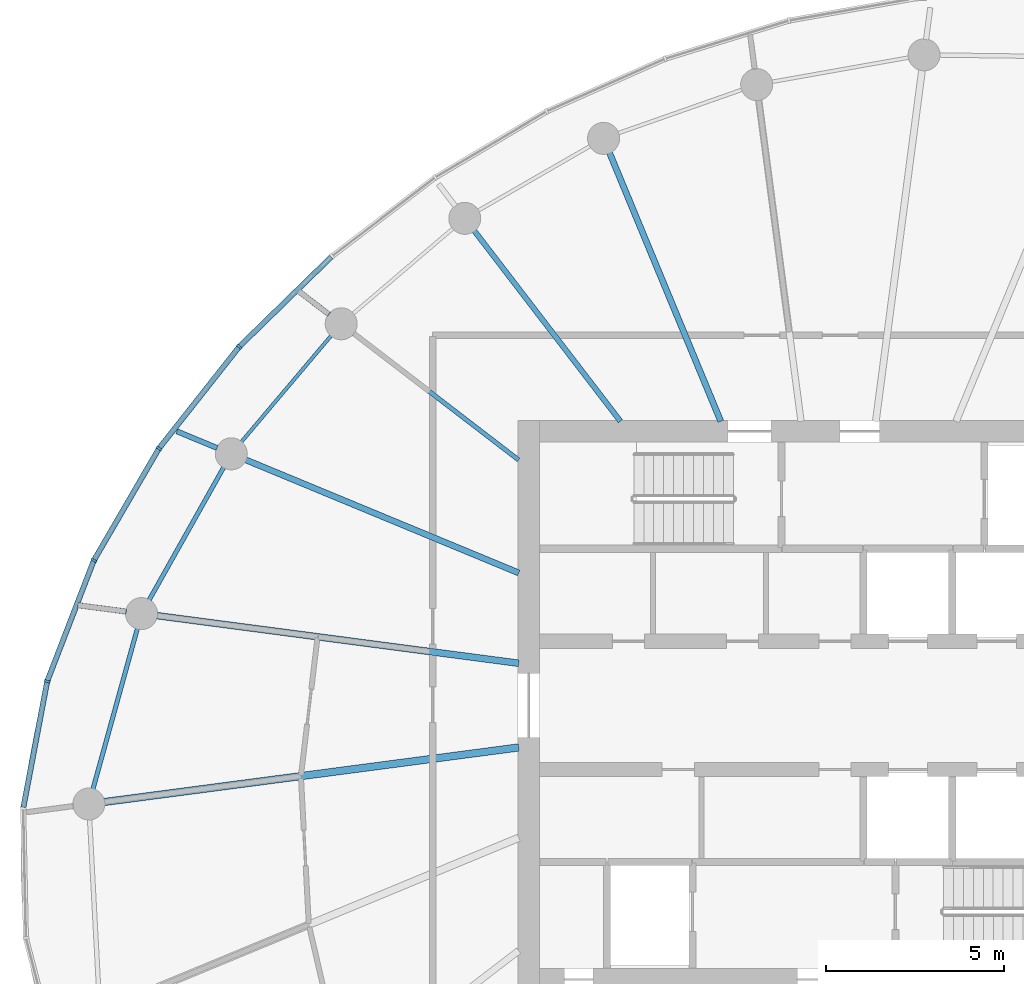
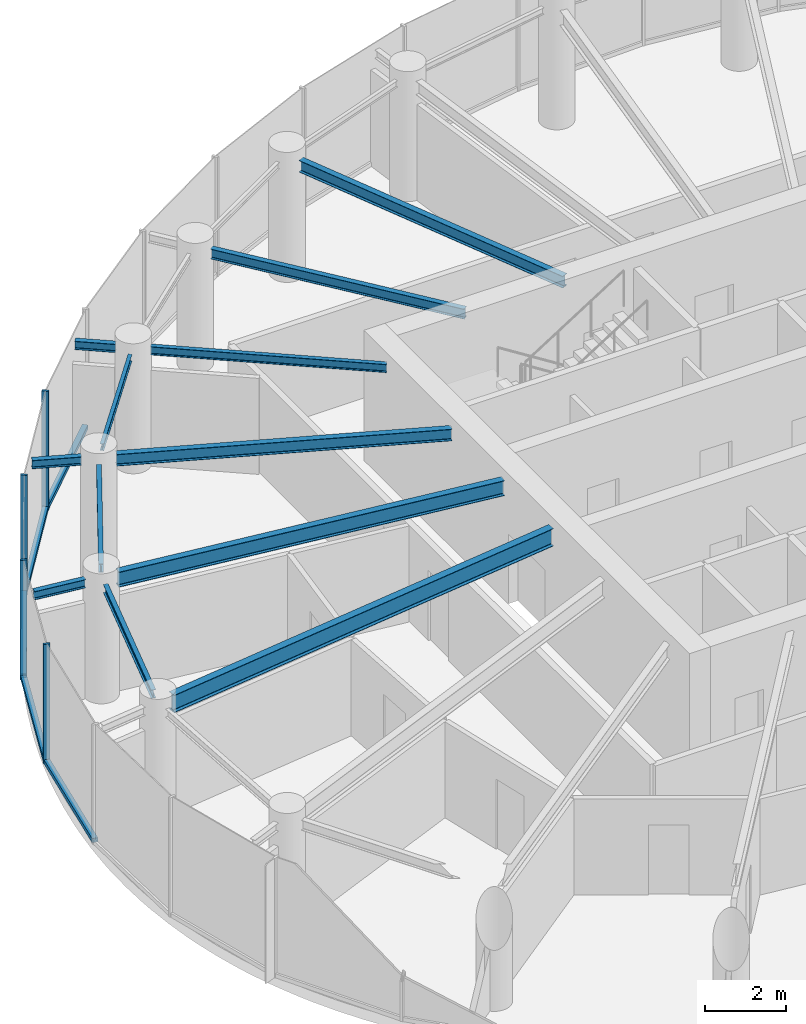
# One storey, part 4 of 13: 12 beams, 9 members, 2 elements without a shape of their own.
"""IFC4 building model written with IfcOpenShell, lengths in metres."""

from ifc_helpers import new_model, si_unit, direction, frame, origin, origin_2d, place, context, subcontext, project, spatial, rectangle, i_section, extrude, source, transform, mapped, material, layer, layer_set, material_profile, profile_set, type_object, element, aggregate, save


model = new_model("IFC4")

# Units and contexts
model_context = context("Model", 3, precision=1e-05, world=origin(), true_north=direction((0.0, 1.0)))
body_context = subcontext(model_context, "Body", "Model", "MODEL_VIEW")
ifc_project = project(units=[si_unit("LENGTHUNIT", "METRE"), si_unit("AREAUNIT", "SQUARE_METRE"), si_unit("VOLUMEUNIT", "CUBIC_METRE"), si_unit("PLANEANGLEUNIT", "RADIAN"), si_unit("MASSUNIT", "GRAM", prefix="KILO")], contexts=[model_context])

# Site, building, storey
site_placement = place(None, origin())
site = spatial("IfcSite", under=ifc_project, at=site_placement, CompositionType="ELEMENT")
building_placement = place(site_placement, origin())
building = spatial("IfcBuilding", under=site, at=building_placement, Name="Spindrift Exchange Tower", CompositionType="ELEMENT")
storey_placement = place(building_placement, frame((0.0, 0.0, 218.89990234375)))
storey = spatial("IfcBuildingStorey", under=building, at=storey_placement, Name="L53", CompositionType="ELEMENT", Elevation=218.89990234375)

# Beams
ifc_material_1 = material(Name="Steel Grade 300", Category="steel")
ifc_material_profile_1 = material_profile(ifc_material_1, i_section(OverallWidth=0.208984375, OverallDepth=0.528076171875, WebThickness=0.009521484375, FlangeThickness=0.01318359375, FilletRadius=0.013916015625, at=origin_2d()), Name="530UB82.0")
ifc_profile_set_1 = profile_set([ifc_material_profile_1], Name="Steel Grade 300")
beam_type_1 = type_object("IfcBeamType", Name="Floor Beam 530UB82.0 Steel Grade 300", PredefinedType="BEAM", material=ifc_profile_set_1)
shared_shape_1 = source(origin(), body_context, "Body", "SweptSolid", [
    extrude(i_section(OverallWidth=0.208984375, OverallDepth=0.528076171875, WebThickness=0.009521484375, FlangeThickness=0.01318359375, FilletRadius=0.013916015625, at=origin_2d()), origin(), (0.0, 0.0, 1.0), 11.75634765625),
])
beam_1_placement = place(storey_placement, frame((43.019775390625, 46.817626953125, 3.316162109375), z_axis=(-0.991445811455, -0.13051897543, 0.0), x_axis=(0.13051897543, -0.991445811455, 0.0)))
element("IfcBeam", 1, at=beam_1_placement, inside=storey, type_object=beam_type_1, Name="L53 radial beam R13A", PredefinedType="BEAM", context=body_context, shape_type="MappedRepresentation", body=[
    mapped(shared_shape_1, transform((0.0, 0.0, 0.0), scale=1.0)),
])
ifc_material_profile_2 = material_profile(ifc_material_1, i_section(OverallWidth=0.1708984375, OverallDepth=0.35205078125, WebThickness=0.0068359375, FlangeThickness=0.009765625, FilletRadius=0.013916015625, at=origin_2d()), Name="360UB44.7")
ifc_profile_set_2 = profile_set([ifc_material_profile_2], Name="Steel Grade 300")
beam_type_2 = type_object("IfcBeamType", Name="Floor Beam 360UB44.7 Steel Grade 300", PredefinedType="BEAM", material=ifc_profile_set_2)
shared_shape_2 = source(origin(), body_context, "Body", "SweptSolid", [
    extrude(i_section(OverallWidth=0.1708984375, OverallDepth=0.35205078125, WebThickness=0.0068359375, FlangeThickness=0.009765625, FilletRadius=0.013916015625, at=origin_2d()), origin(), (0.0, 0.0, 1.0), 8.1748046875),
])
beam_2_placement = place(storey_placement, frame((48.69384765625, 55.9814453125, 3.404052734375), z_axis=(-0.382655117626, 0.923891260352, 0.0), x_axis=(-0.923891260352, -0.382655117626, 0.0)))
element("IfcBeam", 2, at=beam_2_placement, inside=storey, type_object=beam_type_2, Name="L53 radial beam R08A", PredefinedType="BEAM", context=body_context, shape_type="MappedRepresentation", body=[
    mapped(shared_shape_2, transform((0.0, 0.0, 0.0), scale=1.0)),
])
ifc_material_profile_3 = material_profile(ifc_material_1, i_section(OverallWidth=0.14892578125, OverallDepth=0.298095703125, WebThickness=0.005615234375, FlangeThickness=0.008056640625, FilletRadius=0.012939453125, at=origin_2d()), Name="310UB32.0")
ifc_profile_set_3 = profile_set([ifc_material_profile_3], Name="Steel Grade 300")
beam_type_3 = type_object("IfcBeamType", Name="Floor Beam 310UB32.0 Steel Grade 300", PredefinedType="BEAM", material=ifc_profile_set_3)
shared_shape_3 = source(origin(), body_context, "Body", "SweptSolid", [
    extrude(i_section(OverallWidth=0.14892578125, OverallDepth=0.298095703125, WebThickness=0.005615234375, FlangeThickness=0.008056640625, FilletRadius=0.012939453125, at=origin_2d()), origin(), (0.0, 0.0, 1.0), 6.753173828125),
])
beam_3_placement = place(storey_placement, frame((45.87353515625, 55.984130859375, 3.43115234375), z_axis=(-0.608761639459, 0.793353178807, 0.0), x_axis=(-0.793353178807, -0.608761639459, 0.0)))
element("IfcBeam", 3, at=beam_3_placement, inside=storey, type_object=beam_type_3, Name="L53 radial beam R09A", PredefinedType="BEAM", context=body_context, shape_type="MappedRepresentation", body=[
    mapped(shared_shape_3, transform((0.0, 0.0, 0.0), scale=1.0)),
])
ifc_material_profile_4 = material_profile(ifc_material_1, i_section(OverallWidth=0.1240234375, OverallDepth=0.248046875, WebThickness=0.0048828125, FlangeThickness=0.008056640625, FilletRadius=0.011962890625, at=origin_2d()), Name="250UB25.7")
ifc_profile_set_4 = profile_set([ifc_material_profile_4], Name="Steel Grade 300")
beam_type_4 = type_object("IfcBeamType", Name="Floor Beam 250UB25.7 Steel Grade 300", PredefinedType="BEAM", material=ifc_profile_set_4)
shared_shape_4 = source(origin(), body_context, "Body", "SweptSolid", [
    extrude(i_section(OverallWidth=0.1240234375, OverallDepth=0.248046875, WebThickness=0.0048828125, FlangeThickness=0.008056640625, FilletRadius=0.011962890625, at=origin_2d()), origin(), (0.0, 0.0, 1.0), 5.855712890625),
])
beam_4_placement = place(storey_placement, frame((43.015869140625, 54.893798828125, 3.4560546875), z_axis=(-0.793362708479, 0.608749219954, 0.0), x_axis=(-0.608749219954, -0.793362708479, 0.0)))
element("IfcBeam", 4, at=beam_4_placement, inside=storey, type_object=beam_type_4, Name="L53 radial beam R10A", PredefinedType="BEAM", context=body_context, shape_type="MappedRepresentation", body=[
    mapped(shared_shape_4, transform((0.0, 0.0, 0.0), scale=1.0)),
])
shared_shape_5 = source(origin(), body_context, "Body", "SweptSolid", [
    extrude(i_section(OverallWidth=0.1708984375, OverallDepth=0.35205078125, WebThickness=0.0068359375, FlangeThickness=0.009765625, FilletRadius=0.013916015625, at=origin_2d()), origin(), (0.0, 0.0, 1.0), 8.3134765625),
])
beam_5_placement = place(storey_placement, frame((43.0185546875, 51.72021484375, 3.404052734375), z_axis=(-0.923881179957, 0.382679455055, 0.0), x_axis=(-0.382679455055, -0.923881179957, 0.0)))
element("IfcBeam", 5, at=beam_5_placement, inside=storey, type_object=beam_type_2, Name="L53 radial beam R11A", PredefinedType="BEAM", context=body_context, shape_type="MappedRepresentation", body=[
    mapped(shared_shape_5, transform((0.0, 0.0, 0.0), scale=1.0)),
])
ifc_material_profile_5 = material_profile(ifc_material_1, i_section(OverallWidth=0.18994140625, OverallDepth=0.4541015625, WebThickness=0.008544921875, FlangeThickness=0.0126953125, FilletRadius=0.013916015625, at=origin_2d()), Name="460UB67.1")
ifc_profile_set_5 = profile_set([ifc_material_profile_5], Name="Steel Grade 300")
beam_type_5 = type_object("IfcBeamType", Name="Floor Beam 460UB67.1 Steel Grade 300", PredefinedType="BEAM", material=ifc_profile_set_5)
shared_shape_6 = source(origin(), body_context, "Body", "SweptSolid", [
    extrude(i_section(OverallWidth=0.18994140625, OverallDepth=0.4541015625, WebThickness=0.008544921875, FlangeThickness=0.0126953125, FilletRadius=0.013916015625, at=origin_2d()), origin(), (0.0, 0.0, 1.0), 10.262451171875),
])
beam_6_placement = place(storey_placement, frame((43.019775390625, 49.182373046875, 3.35302734375), z_axis=(-0.991446763371, 0.130511744304, 0.0), x_axis=(-0.130511744304, -0.991446763371, 0.0)))
element("IfcBeam", 6, at=beam_6_placement, inside=storey, type_object=beam_type_5, Name="L53 radial beam R12A", PredefinedType="BEAM", context=body_context, shape_type="MappedRepresentation", body=[
    mapped(shared_shape_6, transform((0.0, 0.0, 0.0), scale=1.0)),
])
ifc_material_profile_6 = material_profile(ifc_material_1, i_section(OverallWidth=0.09912109375, OverallDepth=0.197998046875, WebThickness=0.00439453125, FlangeThickness=0.007080078125, FilletRadius=0.010986328125, at=origin_2d()), Name="200UB18.2")
ifc_profile_set_6 = profile_set([ifc_material_profile_6], Name="Steel Grade 300")
beam_type_6 = type_object("IfcBeamType", Name="Edge Beam 200UB18.2 Steel Grade 300", PredefinedType="SPANDREL", material=ifc_profile_set_6)
shared_shape_7 = source(origin(), body_context, "Body", "SweptSolid", [
    extrude(i_section(OverallWidth=0.09912109375, OverallDepth=0.197998046875, WebThickness=0.00439453125, FlangeThickness=0.007080078125, FilletRadius=0.010986328125, at=origin_2d()), origin(), (0.0, 0.0, 1.0), 3.92431640625),
])
beam_7_placement = place(storey_placement, frame((37.75146484375, 58.391845703125, 3.481201171875), z_axis=(-0.645498720032, -0.763761351757, 0.0), x_axis=(0.763761351757, -0.645498720032, 0.0)))
element("IfcBeam", 7, at=beam_7_placement, inside=storey, type_object=beam_type_6, Name="L53 edge beam E10", PredefinedType="SPANDREL", context=body_context, shape_type="MappedRepresentation", body=[
    mapped(shared_shape_7, transform((0.0, 0.0, 0.0), scale=1.0)),
])
ifc_material_profile_7 = material_profile(ifc_material_1, i_section(OverallWidth=0.1240234375, OverallDepth=0.248046875, WebThickness=0.0048828125, FlangeThickness=0.008056640625, FilletRadius=0.011962890625, at=origin_2d()), Name="250UB25.7")
ifc_profile_set_7 = profile_set([ifc_material_profile_7], Name="Steel Grade 300")
beam_type_7 = type_object("IfcBeamType", Name="Edge Beam 250UB25.7 Steel Grade 300", PredefinedType="SPANDREL", material=ifc_profile_set_7)
shared_shape_8 = source(origin(), body_context, "Body", "SweptSolid", [
    extrude(i_section(OverallWidth=0.1240234375, OverallDepth=0.248046875, WebThickness=0.0048828125, FlangeThickness=0.008056640625, FilletRadius=0.011962890625, at=origin_2d()), origin(), (0.0, 0.0, 1.0), 4.2880859375),
])
beam_8_placement = place(storey_placement, frame((34.72998046875, 54.69140625, 3.4560546875), z_axis=(-0.489804347673, -0.871832381253, 0.0), x_axis=(0.871832381253, -0.489804347673, 0.0)))
element("IfcBeam", 8, at=beam_8_placement, inside=storey, type_object=beam_type_7, Name="L53 edge beam E11", PredefinedType="SPANDREL", context=body_context, shape_type="MappedRepresentation", body=[
    mapped(shared_shape_8, transform((0.0, 0.0, 0.0), scale=1.0)),
])
shared_shape_9 = source(origin(), body_context, "Body", "SweptSolid", [
    extrude(i_section(OverallWidth=0.1240234375, OverallDepth=0.248046875, WebThickness=0.0048828125, FlangeThickness=0.008056640625, FilletRadius=0.011962890625, at=origin_2d()), origin(), (0.0, 0.0, 1.0), 4.69189453125),
])
beam_9_placement = place(storey_placement, frame((32.30419921875, 50.16357421875, 3.4560546875), z_axis=(-0.266774248618, -0.963759046792, 0.0), x_axis=(0.963759046792, -0.266774248618, 0.0)))
element("IfcBeam", 9, at=beam_9_placement, inside=storey, type_object=beam_type_7, Name="L53 edge beam E12", PredefinedType="SPANDREL", context=body_context, shape_type="MappedRepresentation", body=[
    mapped(shared_shape_9, transform((0.0, 0.0, 0.0), scale=1.0)),
])
ifc_material_profile_8 = material_profile(ifc_material_1, i_section(OverallWidth=0.14599609375, OverallDepth=0.251953125, WebThickness=0.006103515625, FlangeThickness=0.008544921875, FilletRadius=0.011962890625, at=origin_2d()), Name="250UB31.4")
ifc_profile_set_8 = profile_set([ifc_material_profile_8], Name="Steel Grade 300")
beam_type_8 = type_object("IfcBeamType", Name="Cantilever Beam 250UB31.4 Steel Grade 300", PredefinedType="BEAM", material=ifc_profile_set_8)
shared_shape_10 = source(origin(), body_context, "Body", "SweptSolid", [
    extrude(i_section(OverallWidth=0.14599609375, OverallDepth=0.251953125, WebThickness=0.006103515625, FlangeThickness=0.008544921875, FilletRadius=0.011962890625, at=origin_2d()), origin(), (0.0, 0.0, 1.0), 1.01123046875),
])
beam_10_placement = place(storey_placement, frame((37.68798828125, 58.982177734375, 3.4541015625), z_axis=(-0.79349367014, 0.608578503932, 0.0), x_axis=(-0.608578503932, -0.79349367014, 0.0)))
element("IfcBeam", 10, at=beam_10_placement, inside=storey, type_object=beam_type_8, Name="L53 cantilever beam R10T", PredefinedType="BEAM", context=body_context, shape_type="MappedRepresentation", body=[
    mapped(shared_shape_10, transform((0.0, 0.0, 0.0), scale=1.0)),
])
shared_shape_11 = source(origin(), body_context, "Body", "SweptSolid", [
    extrude(i_section(OverallWidth=0.14599609375, OverallDepth=0.251953125, WebThickness=0.006103515625, FlangeThickness=0.008544921875, FilletRadius=0.011962890625, at=origin_2d()), origin(), (0.0, 0.0, 1.0), 1.227783203125),
])
beam_11_placement = place(storey_placement, frame((34.543212890625, 55.230712890625, 3.4541015625), z_axis=(-0.923839891605, 0.382779119961, 0.0), x_axis=(-0.382779119961, -0.923839891605, 0.0)))
element("IfcBeam", 11, at=beam_11_placement, inside=storey, type_object=beam_type_8, Name="L53 cantilever beam R11T", PredefinedType="BEAM", context=body_context, shape_type="MappedRepresentation", body=[
    mapped(shared_shape_11, transform((0.0, 0.0, 0.0), scale=1.0)),
])
shared_shape_12 = source(origin(), body_context, "Body", "SweptSolid", [
    extrude(i_section(OverallWidth=0.14599609375, OverallDepth=0.251953125, WebThickness=0.006103515625, FlangeThickness=0.008544921875, FilletRadius=0.011962890625, at=origin_2d()), origin(), (0.0, 0.0, 1.0), 1.365478515625),
])
beam_12_placement = place(storey_placement, frame((31.99267578125, 50.634033203125, 3.4541015625), z_axis=(-0.991445164464, 0.130523890002, 0.0), x_axis=(-0.130523890002, -0.991445164464, 0.0)))
element("IfcBeam", 12, at=beam_12_placement, inside=storey, type_object=beam_type_8, Name="L53 cantilever beam R12T", PredefinedType="BEAM", context=body_context, shape_type="MappedRepresentation", body=[
    mapped(shared_shape_12, transform((0.0, 0.0, 0.0), scale=1.0)),
])

# Curtain wall, members
ifc_material_2 = material(Name="Fritted laminated glass with bronze frame", Category="glass")
ifc_layer = layer(ifc_material_2, 0.169921875)
ifc_layer_set = layer_set([ifc_layer], Name="ZONE 4 BRONZE FRITTED WALL")
curtain_wall_type = type_object("IfcCurtainWallType", Name="ZONE 4 BRONZE FRITTED WALL", PredefinedType="NOTDEFINED", material=ifc_layer_set)
curtain_wall_1_placement = place(storey_placement, origin())
curtain_wall_1 = element("IfcCurtainWall", 13, at=curtain_wall_1_placement, inside=storey, type_object=curtain_wall_type, Name="L53 Zone 4 Bronze Fritted Wall run 3", PredefinedType="NOTDEFINED")
ifc_material_3 = material(Name="Bronze anodised aluminium", Category="aluminium")
ifc_material_profile_9 = material_profile(ifc_material_3, rectangle(XDim=0.14990234375, YDim=0.125, at=origin_2d()), Name="ZONE 4 BRONZE FRITTED WALL TRANSOM 150X125")
ifc_profile_set_9 = profile_set([ifc_material_profile_9], Name="Bronze anodised aluminium")
member_type_1 = type_object("IfcMemberType", Name="ZONE 4 BRONZE FRITTED WALL TRANSOM 150X125", PredefinedType="USERDEFINED", material=ifc_profile_set_9)
shared_shape_13 = source(origin(), body_context, "Body", "SweptSolid", [
    extrude(rectangle(XDim=0.14990234375, YDim=0.125, at=origin_2d()), origin(), (0.0, 0.0, 1.0), 3.5771484375),
])
member_1_placement = place(storey_placement, frame((35.145263671875, 58.05322265625, 0.0625), z_axis=(-0.61957126099, -0.784940413379, 0.0), x_axis=(0.784940413379, -0.61957126099, 0.0)))
member_1 = element("IfcMember", 14, at=member_1_placement, type_object=member_type_1, Name="L53 transom CW-4.13", ObjectType="TRANSOM", PredefinedType="USERDEFINED", context=body_context, shape_type="MappedRepresentation", body=[
    mapped(shared_shape_13, transform((0.0, 0.0, 0.0), scale=1.0)),
])
shared_shape_14 = source(origin(), body_context, "Body", "SweptSolid", [
    extrude(rectangle(XDim=0.14990234375, YDim=0.125, at=origin_2d()), origin(), (0.0, 0.0, 1.0), 3.57666015625),
])
member_2_placement = place(storey_placement, frame((32.892578125, 55.19189453125, 0.0625), z_axis=(-0.502733161727, -0.864441651067, 0.0), x_axis=(0.864441651067, -0.502733161727, 0.0)))
member_2 = element("IfcMember", 15, at=member_2_placement, type_object=member_type_1, Name="L53 transom CW-4.14", ObjectType="TRANSOM", PredefinedType="USERDEFINED", context=body_context, shape_type="MappedRepresentation", body=[
    mapped(shared_shape_14, transform((0.0, 0.0, 0.0), scale=1.0)),
])

# Curtain wall, member
curtain_wall_2_placement = place(storey_placement, origin())
curtain_wall_2 = element("IfcCurtainWall", 16, at=curtain_wall_2_placement, inside=storey, type_object=curtain_wall_type, Name="L53 Zone 4 Bronze Fritted Wall run 2", PredefinedType="NOTDEFINED")
shared_shape_15 = source(origin(), body_context, "Body", "SweptSolid", [
    extrude(rectangle(XDim=0.14990234375, YDim=0.125, at=origin_2d()), origin(), (0.0, 0.0, 1.0), 3.577392578125),
])
member_3_placement = place(storey_placement, frame((37.74853515625, 60.600341796875, 0.0625), z_axis=(-0.71561968799, -0.698490130324, 0.0), x_axis=(0.698490130324, -0.71561968799, 0.0)))
member_3 = element("IfcMember", 17, at=member_3_placement, type_object=member_type_1, Name="L53 transom CW-4.12", ObjectType="TRANSOM", PredefinedType="USERDEFINED", context=body_context, shape_type="MappedRepresentation", body=[
    mapped(shared_shape_15, transform((0.0, 0.0, 0.0), scale=1.0)),
])
aggregate(curtain_wall_2, [member_3])

# Member
ifc_material_profile_10 = material_profile(ifc_material_3, rectangle(XDim=0.06494140625, YDim=0.169921875, at=origin_2d()), Name="ZONE 4 BRONZE FRITTED WALL MULLION 65X170")
ifc_profile_set_10 = profile_set([ifc_material_profile_10], Name="Bronze anodised aluminium")
member_type_2 = type_object("IfcMemberType", Name="ZONE 4 BRONZE FRITTED WALL MULLION 65X170", PredefinedType="MULLION", material=ifc_profile_set_10)
shared_shape_16 = source(origin(), body_context, "Body", "SweptSolid", [
    extrude(rectangle(XDim=0.06494140625, YDim=0.169921875, at=origin_2d()), origin(), (0.0, 0.0, 1.0), 3.580078125),
])
member_4_placement = place(storey_placement, frame((35.165283203125, 58.078857421875, 0.0), z_axis=(0.0, 0.0, 1.0), x_axis=(-0.668978980813, -0.743281321729, 0.0)))
member_4 = element("IfcMember", 18, at=member_4_placement, type_object=member_type_2, Name="L53 mullion CW-4.13", PredefinedType="MULLION", context=body_context, shape_type="MappedRepresentation", body=[
    mapped(shared_shape_16, transform((0.0, 0.0, 0.0), scale=1.0)),
])

member_5_placement = place(storey_placement, frame((32.90869140625, 55.219970703125, 0.0), z_axis=(0.0, 0.0, 1.0), x_axis=(-0.56253781327, -0.826771557712, 0.0)))
member_5 = element("IfcMember", 19, at=member_5_placement, type_object=member_type_2, Name="L53 mullion CW-4.14", PredefinedType="MULLION", context=body_context, shape_type="MappedRepresentation", body=[
    mapped(shared_shape_16, transform((0.0, 0.0, 0.0), scale=1.0)),
])

member_6_placement = place(storey_placement, frame((31.078125, 52.072021484375, 0.0), z_axis=(0.0, 0.0, 1.0), x_axis=(-0.432631546444, -0.901570820857, 0.0)))
member_6 = element("IfcMember", 20, at=member_6_placement, type_object=member_type_2, Name="L53 mullion CW-4.15", PredefinedType="MULLION", context=body_context, shape_type="MappedRepresentation", body=[
    mapped(shared_shape_16, transform((0.0, 0.0, 0.0), scale=1.0)),
])

member_7_placement = place(storey_placement, frame((29.768310546875, 48.67529296875, 0.0), z_axis=(0.0, 0.0, 1.0), x_axis=(-0.273972540436, -0.961737514651, 0.0)))
member_7 = element("IfcMember", 21, at=member_7_placement, type_object=member_type_2, Name="L53 mullion CW-4.16", PredefinedType="MULLION", context=body_context, shape_type="MappedRepresentation", body=[
    mapped(shared_shape_16, transform((0.0, 0.0, 0.0), scale=1.0)),
])

shared_shape_17 = source(origin(), body_context, "Body", "SweptSolid", [
    extrude(rectangle(XDim=0.14990234375, YDim=0.125, at=origin_2d()), origin(), (0.0, 0.0, 1.0), 3.57568359375),
])
member_8_placement = place(storey_placement, frame((31.06640625, 52.041748046875, 0.0625), z_axis=(-0.359825368446, -0.933019669794, 0.0), x_axis=(0.933019669794, -0.359825368446, 0.0)))
member_8 = element("IfcMember", 22, at=member_8_placement, type_object=member_type_1, Name="L53 transom CW-4.15", ObjectType="TRANSOM", PredefinedType="USERDEFINED", context=body_context, shape_type="MappedRepresentation", body=[
    mapped(shared_shape_17, transform((0.0, 0.0, 0.0), scale=1.0)),
])

shared_shape_18 = source(origin(), body_context, "Body", "SweptSolid", [
    extrude(rectangle(XDim=0.14990234375, YDim=0.125, at=origin_2d()), origin(), (0.0, 0.0, 1.0), 3.57421875),
])
member_9_placement = place(storey_placement, frame((29.76220703125, 48.643310546875, 0.0625), z_axis=(-0.185859586524, -0.982576314643, 0.0), x_axis=(0.982576314643, -0.185859586524, 0.0)))
member_9 = element("IfcMember", 23, at=member_9_placement, type_object=member_type_1, Name="L53 transom CW-4.16", ObjectType="TRANSOM", PredefinedType="USERDEFINED", context=body_context, shape_type="MappedRepresentation", body=[
    mapped(shared_shape_18, transform((0.0, 0.0, 0.0), scale=1.0)),
])

aggregate(curtain_wall_1, [member_4, member_1, member_5, member_2, member_6, member_8, member_7, member_9])

save(model, "model.ifc")
